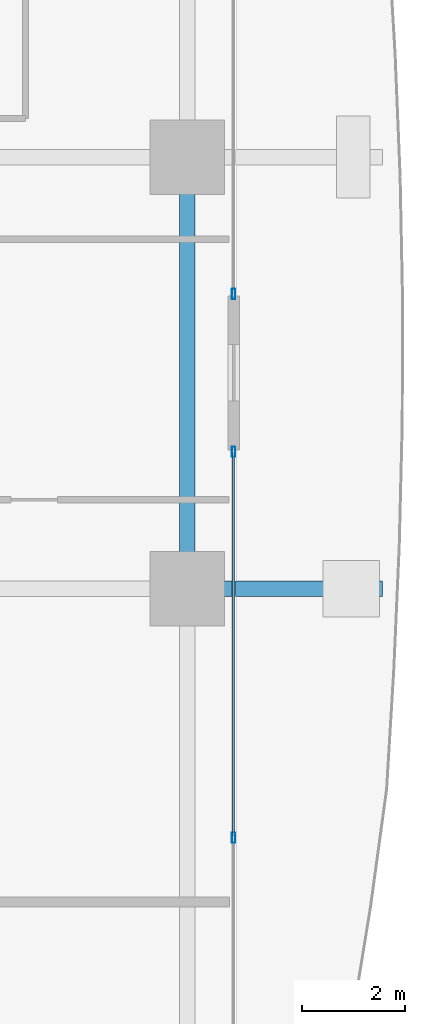
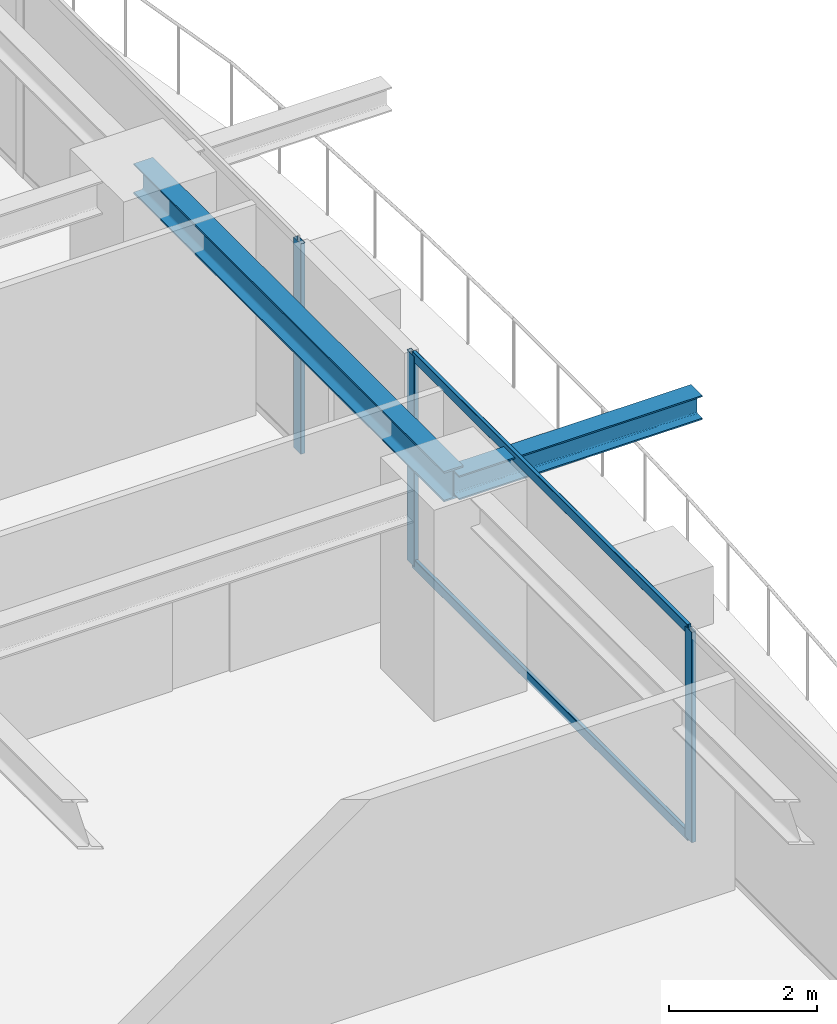
# One storey, part 15 of 39: 5 members, 2 beams, 2 elements without a shape of their own.
"""IFC4 building model written with IfcOpenShell, lengths in metres."""

import ifcopenshell
import ifcopenshell.guid

model = None  # the IFC model being written
_history = None  # IfcOwnerHistory: only IFC2X3 demands one
_inside = {}  # id of a spatial element -> (the spatial element, [elements in it])
_under = {}  # id of a project, library or spatial element -> (it, [spatial elements below it])
_declared = {}  # id of a project -> (the project, [libraries it declares])
_typed = {}  # id of a type object -> (the type object, [elements of that type])
_made_of = {}  # id of a material, layer set ... -> (it, [elements and type objects made of it])


def new_model(schema):
    """Start an empty IFC model of exactly this schema.

    Asked for "IFC4X3", IfcOpenShell would pick the latest addendum, in which some entities
    have other attributes; the version numbers below select the first issue.
    IFC2X3 requires an IfcOwnerHistory on every rooted entity: one is made here for all.
    """
    global model, _history
    if schema == "IFC4X3":
        model = ifcopenshell.file(schema_version=(4, 3, 0, 0))
    else:
        model = ifcopenshell.file(schema=schema)
    _inside.clear()
    _under.clear()
    _declared.clear()
    _typed.clear()
    _made_of.clear()
    _history = None
    if model.schema == "IFC2X3":
        org = make("IfcOrganization", Name="unknown")
        user = make(
            "IfcPersonAndOrganization",
            ThePerson=make("IfcPerson", FamilyName="unknown"),
            TheOrganization=org,
        )
        app = make(
            "IfcApplication",
            ApplicationDeveloper=org,
            Version="unknown",
            ApplicationFullName="unknown",
            ApplicationIdentifier="unknown",
        )
        _history = make(
            "IfcOwnerHistory",
            OwningUser=user,
            OwningApplication=app,
            ChangeAction="ADDED",
            CreationDate=0,
        )
    return model


def make(cls, **values):
    """One entity of the class cls with the attributes given. An attribute that is None is left unset."""
    return model.create_entity(
        cls, **{name: value for name, value in values.items() if value is not None}
    )


def rooted(cls, **values):
    """An entity with a GlobalId (a new one), such as an element, a storey or a relation."""
    return make(cls, GlobalId=ifcopenshell.guid.new(), OwnerHistory=_history, **values)


def si_unit(unit_type, name, prefix=None):
    """IfcSIUnit, for example si_unit("LENGTHUNIT", "METRE", prefix="MILLI")."""
    return make("IfcSIUnit", UnitType=unit_type, Prefix=prefix, Name=name)


def assignment(units):
    """IfcUnitAssignment: the units of a project."""
    return None if units is None else make("IfcUnitAssignment", Units=units)


def point(xyz):
    """IfcCartesianPoint."""
    return None if xyz is None else make("IfcCartesianPoint", Coordinates=xyz)


def direction(xyz):
    """IfcDirection."""
    return None if xyz is None else make("IfcDirection", DirectionRatios=xyz)


def frame(location, z_axis=None, x_axis=None):
    """IfcAxis2Placement3D, a coordinate frame: its origin and axes. An axis left out is left unset."""
    return make(
        "IfcAxis2Placement3D",
        Location=point(location),
        Axis=direction(z_axis),
        RefDirection=direction(x_axis),
    )


def frame_2d(location, x_axis=None):
    """IfcAxis2Placement2D, a coordinate frame in the plane: its origin and x axis."""
    return make(
        "IfcAxis2Placement2D", Location=point(location), RefDirection=direction(x_axis)
    )


def origin():
    """The frame at (0, 0, 0) with its axes left unset."""
    return frame((0.0, 0.0, 0.0))


def origin_2d():
    """The frame at (0, 0) in the plane with its x axis left unset."""
    return frame_2d((0.0, 0.0))


def place(relative_to, where):
    """IfcLocalPlacement: puts the frame where relative to a parent placement (None: the world)."""
    return make(
        "IfcLocalPlacement", PlacementRelTo=relative_to, RelativePlacement=where
    )


def context(
    kind, dimensions, precision=None, world=None, true_north=None, identifier=None
):
    """IfcGeometricRepresentationContext, for example the 3D "Model" context."""
    return make(
        "IfcGeometricRepresentationContext",
        ContextIdentifier=identifier,
        ContextType=kind,
        CoordinateSpaceDimension=dimensions,
        Precision=precision,
        WorldCoordinateSystem=world,
        TrueNorth=true_north,
    )


def subcontext(parent, identifier, kind, view, scale=None):
    """IfcGeometricRepresentationSubContext, for example "Body" below "Model"."""
    return make(
        "IfcGeometricRepresentationSubContext",
        ContextIdentifier=identifier,
        ContextType=kind,
        ParentContext=parent,
        TargetScale=scale,
        TargetView=view,
    )


def project(units=None, contexts=None):
    """IfcProject with its units and contexts."""
    return rooted(
        "IfcProject",
        Name="project",
        RepresentationContexts=contexts,
        UnitsInContext=assignment(units),
    )


def spatial(cls, under=None, at=None, **own):
    """A site, building, storey or space (cls), placed at a placement, below another one or the project."""
    s = rooted(cls, ObjectPlacement=at, **own)
    if under is not None:
        _under.setdefault(under.id(), (under, []))[1].append(s)
    return s


def profile(cls, at=None, kind="AREA", **sizes):
    """A parametric profile (cls). Its sizes go by their IFC names, for example OverallWidth=200.0."""
    return make(cls, ProfileType=kind, Position=at, **sizes)


def hollow_rectangle(**sizes):
    """IfcRectangleHollowProfileDef."""
    return profile("IfcRectangleHollowProfileDef", **sizes)


def i_section(**sizes):
    """IfcIShapeProfileDef."""
    return profile("IfcIShapeProfileDef", **sizes)


def extrude(swept, where, along, depth):
    """IfcExtrudedAreaSolid: the profile swept, set in the frame where, extruded along a direction by depth."""
    return make(
        "IfcExtrudedAreaSolid",
        SweptArea=swept,
        Position=where,
        ExtrudedDirection=direction(along),
        Depth=depth,
    )


def shape(context_of_items, identifier, shape_type, items):
    """IfcShapeRepresentation: the items that make up one representation, for example the "Body"."""
    return make(
        "IfcShapeRepresentation",
        ContextOfItems=context_of_items,
        RepresentationIdentifier=identifier,
        RepresentationType=shape_type,
        Items=items,
    )


def source(mapping_origin, context_of_items, identifier, shape_type, items):
    """IfcRepresentationMap: a shape defined once, which mapped items show again and again."""
    return make(
        "IfcRepresentationMap",
        MappingOrigin=mapping_origin,
        MappedRepresentation=shape(context_of_items, identifier, shape_type, items),
    )


def transform(
    local_origin,
    x_axis=None,
    y_axis=None,
    z_axis=None,
    scale=None,
    scale2=None,
    scale3=None,
    uniform=True,
):
    """IfcCartesianTransformationOperator3D, or its non-uniform kind. x_axis, y_axis, z_axis: its Axis1, 2, 3."""
    if uniform:
        return make(
            "IfcCartesianTransformationOperator3D",
            Axis1=direction(x_axis),
            Axis2=direction(y_axis),
            LocalOrigin=point(local_origin),
            Scale=scale,
            Axis3=direction(z_axis),
        )
    return make(
        "IfcCartesianTransformationOperator3DnonUniform",
        Axis1=direction(x_axis),
        Axis2=direction(y_axis),
        LocalOrigin=point(local_origin),
        Scale=scale,
        Axis3=direction(z_axis),
        Scale2=scale2,
        Scale3=scale3,
    )


def mapped(mapping_source, mapping_target):
    """IfcMappedItem: shows the shape of a source again, moved by a transform."""
    return make(
        "IfcMappedItem", MappingSource=mapping_source, MappingTarget=mapping_target
    )


def material(Name=None, Category=None):
    """IfcMaterial."""
    return make("IfcMaterial", Name=Name, Category=Category)


def layer(
    of_material, thickness, ventilated=None, Name=None, Category=None, Priority=None
):
    """IfcMaterialLayer: one layer of a wall or slab, of a material (None: an air gap)."""
    return make(
        "IfcMaterialLayer",
        Material=of_material,
        LayerThickness=thickness,
        IsVentilated=ventilated,
        Name=Name,
        Category=Category,
        Priority=Priority,
    )


def layer_set(layers, Name=None):
    """IfcMaterialLayerSet."""
    return make("IfcMaterialLayerSet", MaterialLayers=layers, LayerSetName=Name)


def material_profile(
    of_material, cross_section, Name=None, Category=None, Priority=None
):
    """IfcMaterialProfile: a cross section and its material."""
    return make(
        "IfcMaterialProfile",
        Name=Name,
        Material=of_material,
        Profile=cross_section,
        Priority=Priority,
        Category=Category,
    )


def profile_set(profiles, Name=None, composite=None):
    """IfcMaterialProfileSet."""
    return make(
        "IfcMaterialProfileSet",
        Name=Name,
        MaterialProfiles=profiles,
        CompositeProfile=composite,
    )


def made_of(thing, what):
    """Note that an element or type object is made of a material, layer set ...; save() writes the relation."""
    if what is not None:
        _made_of.setdefault(what.id(), (what, []))[1].append(thing)
    return thing


def type_object(cls, material=None, **own):
    """A type object (cls), such as IfcWallType, which elements share."""
    return made_of(rooted(cls, **own), material)


def element(
    cls,
    number,
    at=None,
    inside=None,
    cuts=None,
    type_object=None,
    material=None,
    context=None,
    identifier="Body",
    shape_type=None,
    held_by="IfcProductDefinitionShape",
    body=None,
    shapes=None,
    **own,
):
    """One element of the class cls, such as IfcWall. Its Tag is "e" and its number.

    at: its placement. inside: the storey or other place that contains it. cuts: it is an
    opening in that element (IfcRelVoidsElement). A single representation is given by context,
    identifier, shape_type and body (its items); several are given by shapes. held_by: the class
    of the entity that holds the representations. save() writes the other relations.
    """
    e = rooted(cls, Tag="e%d" % number, ObjectPlacement=at, **own)
    if body is not None:
        shapes = [shape(context, identifier, shape_type, body)]
    if shapes is not None:
        e.Representation = make(held_by, Representations=shapes)
    if inside is not None:
        _inside.setdefault(inside.id(), (inside, []))[1].append(e)
    if cuts is not None:
        rooted(
            "IfcRelVoidsElement", RelatingBuildingElement=cuts, RelatedOpeningElement=e
        )
    if type_object is not None:
        _typed.setdefault(type_object.id(), (type_object, []))[1].append(e)
    return made_of(e, material)


def aggregate(whole, parts):
    """IfcRelAggregates: a whole, such as a stair, and the parts it consists of."""
    return rooted("IfcRelAggregates", RelatingObject=whole, RelatedObjects=parts)


def save(model, path):
    """Write the relations noted so far, then the file.

    IfcRelAggregates (storeys below a building ...), IfcRelContainedInSpatialStructure (elements
    in a storey), IfcRelDefinesByType, IfcRelAssociatesMaterial and IfcRelDeclares: one each for
    every whole, place, type object, material and project.
    """
    for whole, parts in _under.values():
        aggregate(whole, parts)
    for where, things in _inside.values():
        rooted(
            "IfcRelContainedInSpatialStructure",
            RelatedElements=things,
            RelatingStructure=where,
        )
    for kind, things in _typed.values():
        rooted("IfcRelDefinesByType", RelatedObjects=things, RelatingType=kind)
    for what, things in _made_of.values():
        rooted("IfcRelAssociatesMaterial", RelatedObjects=things, RelatingMaterial=what)
    for by, libraries in _declared.values():
        rooted("IfcRelDeclares", RelatingContext=by, RelatedDefinitions=libraries)
    model.write(path)


model = new_model("IFC4")

# Units and contexts
model_context = context("Model", 3, precision=1e-05, world=origin(), true_north=direction((0.0, 1.0)))
body_context = subcontext(model_context, "Body", "Model", "MODEL_VIEW")
ifc_project = project(units=[si_unit("LENGTHUNIT", "METRE"), si_unit("AREAUNIT", "SQUARE_METRE"), si_unit("VOLUMEUNIT", "CUBIC_METRE"), si_unit("PLANEANGLEUNIT", "RADIAN"), si_unit("MASSUNIT", "GRAM", prefix="KILO")], contexts=[model_context])

# Site, building, storey
site_placement = place(None, origin())
site = spatial("IfcSite", under=ifc_project, at=site_placement, CompositionType="ELEMENT")
building_placement = place(site_placement, origin())
building = spatial("IfcBuilding", under=site, at=building_placement, Name="Serunith Strait Residences", CompositionType="ELEMENT")
storey_placement = place(building_placement, frame((0.0, 0.0, 79.199951171875)))
storey = spatial("IfcBuildingStorey", under=building, at=storey_placement, Name="L19", CompositionType="ELEMENT", Elevation=79.199951171875)

# Beams
ifc_material_1 = material(Name="Steel S355J2", Category="steel")
ifc_material_profile_1 = material_profile(ifc_material_1, i_section(OverallWidth=0.300048828125, OverallDepth=0.5, WebThickness=0.014404296875, FlangeThickness=0.028076171875, FilletRadius=0.027099609375, at=origin_2d()), Name="HEB 500")
ifc_profile_set_1 = profile_set([ifc_material_profile_1], Name="Steel S355J2")
beam_type_1 = type_object("IfcBeamType", Name="BM-HEB500", PredefinedType="BEAM", material=ifc_profile_set_1)
shared_shape_1 = source(origin(), body_context, "Body", "SweptSolid", [
    extrude(i_section(OverallWidth=0.300048828125, OverallDepth=0.5, WebThickness=0.014404296875, FlangeThickness=0.028076171875, FilletRadius=0.027099609375, at=origin_2d()), origin(), (0.0, 0.0, 1.0), 8.39990234375),
])
beam_1_placement = place(storey_placement, frame((57.89990234375, 21.0, 3.237060546875), z_axis=(0.0, 1.0, 0.0), x_axis=(-1.0, 0.0, 0.0)))
element("IfcBeam", 1, at=beam_1_placement, inside=storey, type_object=beam_type_1, Name="L19 Perimeter Ring Beam 06", PredefinedType="BEAM", context=body_context, shape_type="MappedRepresentation", body=[
    mapped(shared_shape_1, transform((0.0, 0.0, 0.0), scale=1.0)),
])
ifc_material_profile_2 = material_profile(ifc_material_1, i_section(OverallWidth=0.300048828125, OverallDepth=0.39990234375, WebThickness=0.013427734375, FlangeThickness=0.02392578125, FilletRadius=0.027099609375, at=origin_2d()), Name="HEB 400")
ifc_profile_set_2 = profile_set([ifc_material_profile_2], Name="Steel S355J2")
beam_type_2 = type_object("IfcBeamType", Name="BM-HEB400", PredefinedType="BEAM", material=ifc_profile_set_2)
shared_shape_2 = source(origin(), body_context, "Body", "SweptSolid", [
    extrude(i_section(OverallWidth=0.300048828125, OverallDepth=0.39990234375, WebThickness=0.013427734375, FlangeThickness=0.02392578125, FilletRadius=0.027099609375, at=origin_2d()), origin(), (0.0, 0.0, 1.0), 3.800048828125),
])
beam_2_placement = place(storey_placement, frame((57.89990234375, 21.0, 3.257080078125), z_axis=(1.0, 0.0, 0.0), x_axis=(0.0, 1.0, 0.0)))
element("IfcBeam", 2, at=beam_2_placement, inside=storey, type_object=beam_type_2, Name="L20 Cantilevered Balcony Rib TC-E2", PredefinedType="BEAM", context=body_context, shape_type="MappedRepresentation", body=[
    mapped(shared_shape_2, transform((0.0, 0.0, 0.0), scale=1.0)),
])

# Curtain wall, members
ifc_material_2 = material(Name="Pale-Champagne Anodised Aluminium", Category="aluminium")
ifc_layer = layer(ifc_material_2, 0.199951171875, Name="Pale-Champagne Anodised Aluminium")
ifc_layer_set = layer_set([ifc_layer], Name="Pale-Champagne Anodised Aluminium")
curtain_wall_type = type_object("IfcCurtainWallType", Name="CW-SYS1", PredefinedType="NOTDEFINED", material=ifc_layer_set)
curtain_wall_1_placement = place(storey_placement, origin())
curtain_wall_1 = element("IfcCurtainWall", 3, at=curtain_wall_1_placement, inside=storey, type_object=curtain_wall_type, Name="L19 E Unitised Fritted Curtain Wall", PredefinedType="NOTDEFINED")
ifc_material_profile_3 = material_profile(ifc_material_2, hollow_rectangle(XDim=0.070068359375, YDim=0.199951171875, WallThickness=0.00390625, InnerFilletRadius=0.006103515625, OuterFilletRadius=0.010009765625, at=origin_2d()), Name="ALU 200x70x4")
ifc_profile_set_3 = profile_set([ifc_material_profile_3], Name="Pale-Champagne Anodised Aluminium")
member_type_1 = type_object("IfcMemberType", Name="CW-SYS1-MULL", PredefinedType="MULLION", material=ifc_profile_set_3)
shared_shape_3 = source(origin(), body_context, "Body", "SweptSolid", [
    extrude(hollow_rectangle(XDim=0.070068359375, YDim=0.199951171875, WallThickness=0.00390625, InnerFilletRadius=0.006103515625, OuterFilletRadius=0.010009765625, at=origin_2d()), origin(), (0.0, 0.0, 1.0), 3.47509765625),
])
member_1_placement = place(storey_placement, frame((58.800048828125, 16.14990234375, 0.0), z_axis=(0.0, 0.0, 1.0), x_axis=(-1.0, 0.0, 0.0)))
member_1 = element("IfcMember", 4, at=member_1_placement, type_object=member_type_1, Name="CW-1 mullion 2", PredefinedType="MULLION", context=body_context, shape_type="MappedRepresentation", body=[
    mapped(shared_shape_3, transform((0.0, 0.0, 0.0), scale=1.0)),
])
member_2_placement = place(storey_placement, frame((58.800048828125, 23.6650390625, 0.0), z_axis=(0.0, 0.0, 1.0), x_axis=(-1.0, 0.0, 0.0)))
member_2 = element("IfcMember", 5, at=member_2_placement, type_object=member_type_1, Name="CW-1 mullion 3", PredefinedType="MULLION", context=body_context, shape_type="MappedRepresentation", body=[
    mapped(shared_shape_3, transform((0.0, 0.0, 0.0), scale=1.0)),
])

# Curtain wall, member
curtain_wall_2_placement = place(storey_placement, origin())
curtain_wall_2 = element("IfcCurtainWall", 6, at=curtain_wall_2_placement, inside=storey, type_object=curtain_wall_type, Name="L19 E Unitised Fritted Curtain Wall", PredefinedType="NOTDEFINED")
member_3_placement = place(storey_placement, frame((58.800048828125, 26.735107421875, 0.0), z_axis=(0.0, 0.0, 1.0), x_axis=(-1.0, 0.0, 0.0)))
member_3 = element("IfcMember", 7, at=member_3_placement, type_object=member_type_1, Name="CW-1 mullion 1", PredefinedType="MULLION", context=body_context, shape_type="MappedRepresentation", body=[
    mapped(shared_shape_3, transform((0.0, 0.0, 0.0), scale=1.0)),
])
aggregate(curtain_wall_2, [member_3])

# Member
ifc_material_profile_4 = material_profile(ifc_material_2, hollow_rectangle(XDim=0.06005859375, YDim=0.159912109375, WallThickness=0.00341796875, InnerFilletRadius=0.00537109375, OuterFilletRadius=0.0087890625, at=origin_2d()), Name="ALU 160x60x3.5")
ifc_profile_set_4 = profile_set([ifc_material_profile_4], Name="Pale-Champagne Anodised Aluminium")
member_type_2 = type_object("IfcMemberType", Name="CW-SYS1-TRAN", PredefinedType="USERDEFINED", material=ifc_profile_set_4)
shared_shape_4 = source(origin(), body_context, "Body", "SweptSolid", [
    extrude(hollow_rectangle(XDim=0.06005859375, YDim=0.159912109375, WallThickness=0.00341796875, InnerFilletRadius=0.00537109375, OuterFilletRadius=0.0087890625, at=origin_2d()), origin(), (0.0, 0.0, 1.0), 7.44482421875),
])
member_4_placement = place(storey_placement, frame((58.800048828125, 16.18505859375, 0.030029296875), z_axis=(0.0, 1.0, 0.0), x_axis=(-1.0, 0.0, 0.0)))
member_4 = element("IfcMember", 8, at=member_4_placement, type_object=member_type_2, Name="CW-1 transom 2.1", ObjectType="TRANSOM", PredefinedType="USERDEFINED", context=body_context, shape_type="MappedRepresentation", body=[
    mapped(shared_shape_4, transform((0.0, 0.0, 0.0), scale=1.0)),
])

member_5_placement = place(storey_placement, frame((58.800048828125, 16.18505859375, 3.445068359375), z_axis=(0.0, 1.0, 0.0), x_axis=(-1.0, 0.0, 0.0)))
member_5 = element("IfcMember", 9, at=member_5_placement, type_object=member_type_2, Name="CW-1 transom 2.2", ObjectType="TRANSOM", PredefinedType="USERDEFINED", context=body_context, shape_type="MappedRepresentation", body=[
    mapped(shared_shape_4, transform((0.0, 0.0, 0.0), scale=1.0)),
])

aggregate(curtain_wall_1, [member_1, member_2, member_4, member_5])

save(model, "model.ifc")
